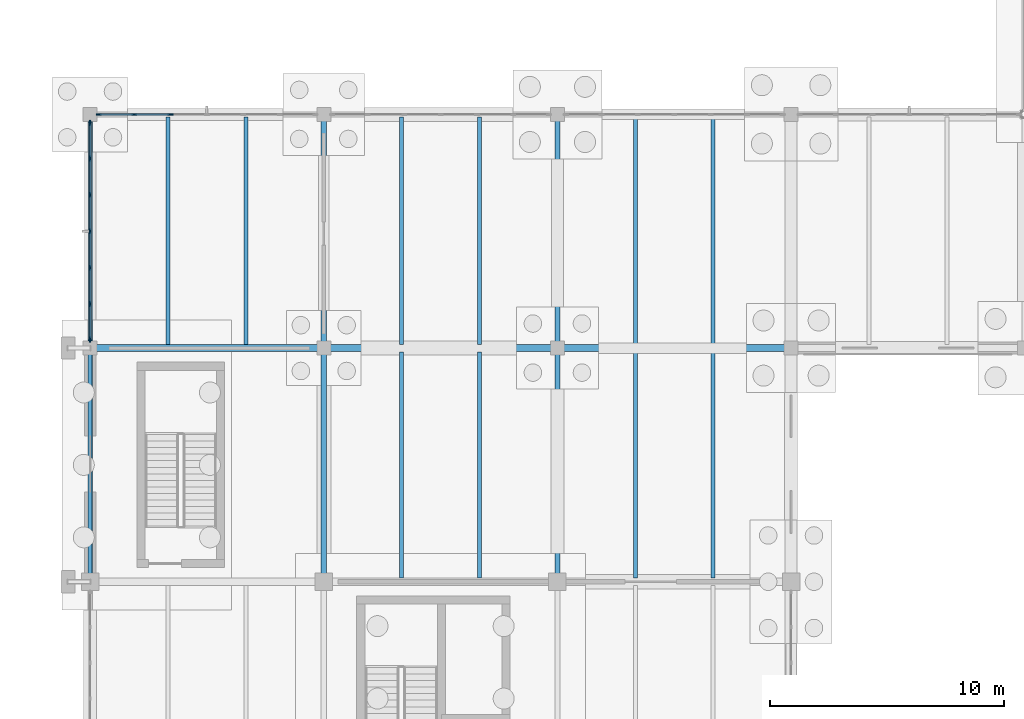
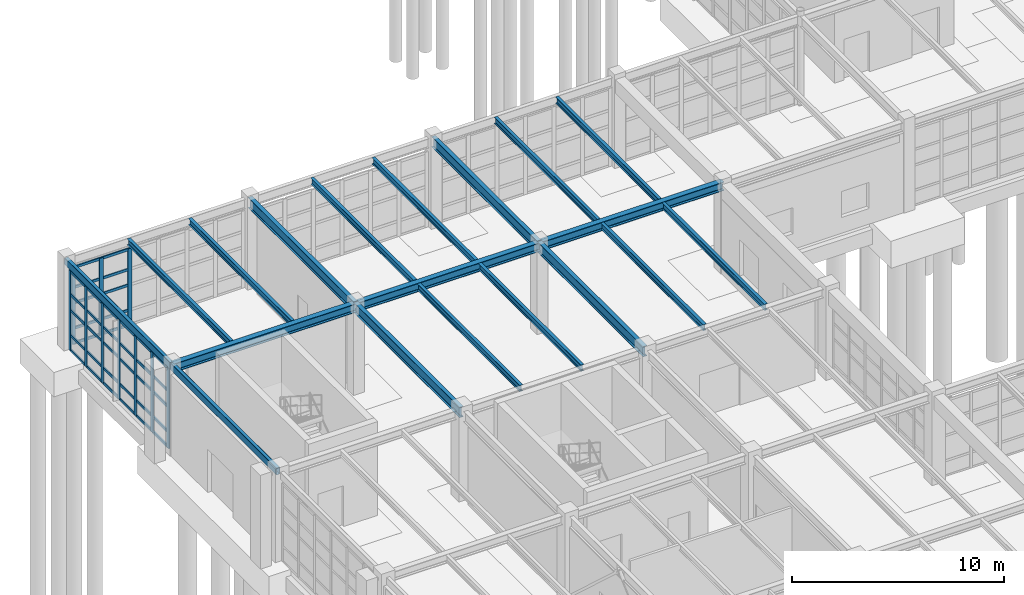
# One storey, part 47 of 145: 50 members, 19 beams, 2 elements without a shape of their own.
"""IFC4 building model written with IfcOpenShell, lengths in metres."""

from ifc_helpers import new_model, si_unit, direction, frame, origin, origin_2d, place, context, subcontext, project, spatial, rectangle, hollow_rectangle, i_section, extrude, material, layer, layer_set, material_profile, profile_set, type_object, element, aggregate, save


model = new_model("IFC4")

# Units and contexts
model_context = context("Model", 3, precision=1e-05, world=origin(), true_north=direction((0.0, 1.0)))
body_context = subcontext(model_context, "Body", "Model", "MODEL_VIEW")
ifc_project = project(units=[si_unit("LENGTHUNIT", "METRE"), si_unit("AREAUNIT", "SQUARE_METRE"), si_unit("VOLUMEUNIT", "CUBIC_METRE"), si_unit("PLANEANGLEUNIT", "RADIAN"), si_unit("MASSUNIT", "GRAM", prefix="KILO"), si_unit("THERMODYNAMICTEMPERATUREUNIT", "KELVIN"), si_unit("POWERUNIT", "WATT")], contexts=[model_context])

# Site, building, storey
site_placement = place(None, origin())
site = spatial("IfcSite", under=ifc_project, at=site_placement, CompositionType="ELEMENT")
building_placement = place(site_placement, origin())
building = spatial("IfcBuilding", under=site, at=building_placement, Name="Korenveer Ferry Terminal", CompositionType="ELEMENT")
storey_placement = place(building_placement, origin())
storey = spatial("IfcBuildingStorey", under=building, at=storey_placement, Name="L00", CompositionType="ELEMENT", Elevation=0.0)

# Curtain wall, members
ifc_material_1 = material(Name="Unitised bronze-and-glass curtain wall", Category="glass")
ifc_layer_1 = layer(ifc_material_1, 0.219970703125)
ifc_layer_set_1 = layer_set([ifc_layer_1], Name="Unitised bronze-and-glass curtain wall")
curtain_wall_type_1 = type_object("IfcCurtainWallType", Name="ENV-CW-08", PredefinedType="USERDEFINED", material=ifc_layer_set_1)
curtain_wall_1_placement = place(storey_placement, frame((0.330078125, 80.0, 0.0)))
curtain_wall_1 = element("IfcCurtainWall", 1, at=curtain_wall_1_placement, inside=storey, type_object=curtain_wall_type_1, Name="Lancet curtain wall CWX-L00-X0-10-Y80-80", ObjectType="UNITISED CURTAIN WALL", PredefinedType="USERDEFINED")
ifc_material_2 = material(Name="Anodised bronze aluminium", Category="aluminium")
ifc_material_profile_1 = material_profile(ifc_material_2, rectangle(XDim=0.074951171875, YDim=0.219970703125, at=origin_2d()), Name="ALU 75x220")
ifc_profile_set_1 = profile_set([ifc_material_profile_1], Name="Anodised bronze aluminium")
member_type_1 = type_object("IfcMemberType", Name="ENV-CWM-75X220", PredefinedType="MULLION", material=ifc_profile_set_1)
member_1_placement = place(storey_placement, frame((0.367431640625, 80.0, 0.0), z_axis=(0.0, 0.0, 1.0), x_axis=(0.0, 1.0, 0.0)))
member_1 = element("IfcMember", 2, at=member_1_placement, type_object=member_type_1, Name="CW-08 mullion 1", PredefinedType="MULLION", context=body_context, shape_type="SweptSolid", body=[
    extrude(rectangle(XDim=0.074951171875, YDim=0.219970703125, at=origin_2d()), origin(), (0.0, 0.0, 1.0), 4.43994140625),
])
member_2_placement = place(storey_placement, frame((1.88671875, 80.0, 0.0), z_axis=(0.0, 0.0, 1.0), x_axis=(0.0, 1.0, 0.0)))
member_2 = element("IfcMember", 3, at=member_2_placement, type_object=member_type_1, Name="CW-08 mullion 2", PredefinedType="MULLION", context=body_context, shape_type="SweptSolid", body=[
    extrude(rectangle(XDim=0.074951171875, YDim=0.219970703125, at=origin_2d()), origin(), (0.0, 0.0, 1.0), 4.43994140625),
])
member_3_placement = place(storey_placement, frame((3.443359375, 80.0, 0.0), z_axis=(0.0, 0.0, 1.0), x_axis=(0.0, 1.0, 0.0)))
member_3 = element("IfcMember", 4, at=member_3_placement, type_object=member_type_1, Name="CW-08 mullion 3", PredefinedType="MULLION", context=body_context, shape_type="SweptSolid", body=[
    extrude(rectangle(XDim=0.074951171875, YDim=0.219970703125, at=origin_2d()), origin(), (0.0, 0.0, 1.0), 4.43994140625),
])

ifc_layer_2 = layer(ifc_material_1, 0.219970703125)
ifc_layer_set_2 = layer_set([ifc_layer_2], Name="Unitised bronze-and-glass curtain wall")
curtain_wall_type_2 = type_object("IfcCurtainWallType", Name="ENV-CW-19", PredefinedType="USERDEFINED", material=ifc_layer_set_2)
curtain_wall_2_placement = place(storey_placement, frame((0.0, 70.330078125, 0.0)))
curtain_wall_2 = element("IfcCurtainWall", 5, at=curtain_wall_2_placement, inside=storey, type_object=curtain_wall_type_2, Name="Lancet curtain wall CWX-L00-X0-0-Y70-80", ObjectType="UNITISED CURTAIN WALL", PredefinedType="USERDEFINED")
member_4_placement = place(storey_placement, frame((0.0, 70.367431640625, 0.0), z_axis=(0.0, 0.0, 1.0), x_axis=(-1.0, 0.0, 0.0)))
member_4 = element("IfcMember", 6, at=member_4_placement, type_object=member_type_1, Name="CW-19 mullion 1", PredefinedType="MULLION", context=body_context, shape_type="SweptSolid", body=[
    extrude(rectangle(XDim=0.074951171875, YDim=0.219970703125, at=origin_2d()), origin(), (0.0, 0.0, 1.0), 4.590087890625),
])
member_5_placement = place(storey_placement, frame((0.0, 71.88671875, 0.0), z_axis=(0.0, 0.0, 1.0), x_axis=(-1.0, 0.0, 0.0)))
member_5 = element("IfcMember", 7, at=member_5_placement, type_object=member_type_1, Name="CW-19 mullion 2", PredefinedType="MULLION", context=body_context, shape_type="SweptSolid", body=[
    extrude(rectangle(XDim=0.074951171875, YDim=0.219970703125, at=origin_2d()), origin(), (0.0, 0.0, 1.0), 4.590087890625),
])
member_6_placement = place(storey_placement, frame((0.0, 73.443359375, 0.0), z_axis=(0.0, 0.0, 1.0), x_axis=(-1.0, 0.0, 0.0)))
member_6 = element("IfcMember", 8, at=member_6_placement, type_object=member_type_1, Name="CW-19 mullion 3", PredefinedType="MULLION", context=body_context, shape_type="SweptSolid", body=[
    extrude(rectangle(XDim=0.074951171875, YDim=0.219970703125, at=origin_2d()), origin(), (0.0, 0.0, 1.0), 4.590087890625),
])
member_7_placement = place(storey_placement, frame((0.0, 75.0, 0.0), z_axis=(0.0, 0.0, 1.0), x_axis=(-1.0, 0.0, 0.0)))
member_7 = element("IfcMember", 9, at=member_7_placement, type_object=member_type_1, Name="CW-19 mullion 4", PredefinedType="MULLION", context=body_context, shape_type="SweptSolid", body=[
    extrude(rectangle(XDim=0.074951171875, YDim=0.219970703125, at=origin_2d()), origin(), (0.0, 0.0, 1.0), 4.590087890625),
])
member_8_placement = place(storey_placement, frame((0.0, 76.556640625, 0.0), z_axis=(0.0, 0.0, 1.0), x_axis=(-1.0, 0.0, 0.0)))
member_8 = element("IfcMember", 10, at=member_8_placement, type_object=member_type_1, Name="CW-19 mullion 5", PredefinedType="MULLION", context=body_context, shape_type="SweptSolid", body=[
    extrude(rectangle(XDim=0.074951171875, YDim=0.219970703125, at=origin_2d()), origin(), (0.0, 0.0, 1.0), 4.590087890625),
])
member_9_placement = place(storey_placement, frame((0.0, 78.11328125, 0.0), z_axis=(0.0, 0.0, 1.0), x_axis=(-1.0, 0.0, 0.0)))
member_9 = element("IfcMember", 11, at=member_9_placement, type_object=member_type_1, Name="CW-19 mullion 6", PredefinedType="MULLION", context=body_context, shape_type="SweptSolid", body=[
    extrude(rectangle(XDim=0.074951171875, YDim=0.219970703125, at=origin_2d()), origin(), (0.0, 0.0, 1.0), 4.590087890625),
])
member_10_placement = place(storey_placement, frame((0.0, 79.632568359375, 0.0), z_axis=(0.0, 0.0, 1.0), x_axis=(-1.0, 0.0, 0.0)))
member_10 = element("IfcMember", 12, at=member_10_placement, type_object=member_type_1, Name="CW-19 mullion 7", PredefinedType="MULLION", context=body_context, shape_type="SweptSolid", body=[
    extrude(rectangle(XDim=0.074951171875, YDim=0.219970703125, at=origin_2d()), origin(), (0.0, 0.0, 1.0), 4.590087890625),
])

# Member
ifc_material_profile_2 = material_profile(ifc_material_2, rectangle(XDim=0.074951171875, YDim=0.14990234375, at=origin_2d()), Name="ALU 75x150")
ifc_profile_set_2 = profile_set([ifc_material_profile_2], Name="Anodised bronze aluminium")
member_type_2 = type_object("IfcMemberType", Name="ENV-CWT-75X150", PredefinedType="USERDEFINED", material=ifc_profile_set_2)
member_11_placement = place(storey_placement, frame((0.405029296875, 80.0, 0.03759765625), z_axis=(1.0, 0.0, 0.0), x_axis=(0.0, 1.0, 0.0)))
member_11 = element("IfcMember", 13, at=member_11_placement, type_object=member_type_2, Name="CW-08 transom 1.1", ObjectType="TRANSOM", PredefinedType="USERDEFINED", context=body_context, shape_type="SweptSolid", body=[
    extrude(rectangle(XDim=0.074951171875, YDim=0.14990234375, at=origin_2d()), origin(), (0.0, 0.0, 1.0), 1.444091796875),
])

member_12_placement = place(storey_placement, frame((0.405029296875, 80.0, 0.89990234375), z_axis=(1.0, 0.0, 0.0), x_axis=(0.0, 1.0, 0.0)))
member_12 = element("IfcMember", 14, at=member_12_placement, type_object=member_type_2, Name="CW-08 transom 1.2", ObjectType="TRANSOM", PredefinedType="USERDEFINED", context=body_context, shape_type="SweptSolid", body=[
    extrude(rectangle(XDim=0.074951171875, YDim=0.14990234375, at=origin_2d()), origin(), (0.0, 0.0, 1.0), 1.444091796875),
])

member_13_placement = place(storey_placement, frame((0.405029296875, 80.0, 2.35009765625), z_axis=(1.0, 0.0, 0.0), x_axis=(0.0, 1.0, 0.0)))
member_13 = element("IfcMember", 15, at=member_13_placement, type_object=member_type_2, Name="CW-08 transom 1.3", ObjectType="TRANSOM", PredefinedType="USERDEFINED", context=body_context, shape_type="SweptSolid", body=[
    extrude(rectangle(XDim=0.074951171875, YDim=0.14990234375, at=origin_2d()), origin(), (0.0, 0.0, 1.0), 1.444091796875),
])

member_14_placement = place(storey_placement, frame((0.405029296875, 80.0, 3.25), z_axis=(1.0, 0.0, 0.0), x_axis=(0.0, 1.0, 0.0)))
member_14 = element("IfcMember", 16, at=member_14_placement, type_object=member_type_2, Name="CW-08 transom 1.4", ObjectType="TRANSOM", PredefinedType="USERDEFINED", context=body_context, shape_type="SweptSolid", body=[
    extrude(rectangle(XDim=0.074951171875, YDim=0.14990234375, at=origin_2d()), origin(), (0.0, 0.0, 1.0), 1.444091796875),
])

member_15_placement = place(storey_placement, frame((0.405029296875, 80.0, 4.402587890625), z_axis=(1.0, 0.0, 0.0), x_axis=(0.0, 1.0, 0.0)))
member_15 = element("IfcMember", 17, at=member_15_placement, type_object=member_type_2, Name="CW-08 transom 1.5", ObjectType="TRANSOM", PredefinedType="USERDEFINED", context=body_context, shape_type="SweptSolid", body=[
    extrude(rectangle(XDim=0.074951171875, YDim=0.14990234375, at=origin_2d()), origin(), (0.0, 0.0, 1.0), 1.444091796875),
])

member_16_placement = place(storey_placement, frame((1.924072265625, 80.0, 0.03759765625), z_axis=(1.0, 0.0, 0.0), x_axis=(0.0, 1.0, 0.0)))
member_16 = element("IfcMember", 18, at=member_16_placement, type_object=member_type_2, Name="CW-08 transom 2.1", ObjectType="TRANSOM", PredefinedType="USERDEFINED", context=body_context, shape_type="SweptSolid", body=[
    extrude(rectangle(XDim=0.074951171875, YDim=0.14990234375, at=origin_2d()), origin(), (0.0, 0.0, 1.0), 1.481689453125),
])

member_17_placement = place(storey_placement, frame((1.924072265625, 80.0, 0.89990234375), z_axis=(1.0, 0.0, 0.0), x_axis=(0.0, 1.0, 0.0)))
member_17 = element("IfcMember", 19, at=member_17_placement, type_object=member_type_2, Name="CW-08 transom 2.2", ObjectType="TRANSOM", PredefinedType="USERDEFINED", context=body_context, shape_type="SweptSolid", body=[
    extrude(rectangle(XDim=0.074951171875, YDim=0.14990234375, at=origin_2d()), origin(), (0.0, 0.0, 1.0), 1.481689453125),
])

member_18_placement = place(storey_placement, frame((1.924072265625, 80.0, 2.35009765625), z_axis=(1.0, 0.0, 0.0), x_axis=(0.0, 1.0, 0.0)))
member_18 = element("IfcMember", 20, at=member_18_placement, type_object=member_type_2, Name="CW-08 transom 2.3", ObjectType="TRANSOM", PredefinedType="USERDEFINED", context=body_context, shape_type="SweptSolid", body=[
    extrude(rectangle(XDim=0.074951171875, YDim=0.14990234375, at=origin_2d()), origin(), (0.0, 0.0, 1.0), 1.481689453125),
])

member_19_placement = place(storey_placement, frame((1.924072265625, 80.0, 3.25), z_axis=(1.0, 0.0, 0.0), x_axis=(0.0, 1.0, 0.0)))
member_19 = element("IfcMember", 21, at=member_19_placement, type_object=member_type_2, Name="CW-08 transom 2.4", ObjectType="TRANSOM", PredefinedType="USERDEFINED", context=body_context, shape_type="SweptSolid", body=[
    extrude(rectangle(XDim=0.074951171875, YDim=0.14990234375, at=origin_2d()), origin(), (0.0, 0.0, 1.0), 1.481689453125),
])

member_20_placement = place(storey_placement, frame((1.924072265625, 80.0, 4.402587890625), z_axis=(1.0, 0.0, 0.0), x_axis=(0.0, 1.0, 0.0)))
member_20 = element("IfcMember", 22, at=member_20_placement, type_object=member_type_2, Name="CW-08 transom 2.5", ObjectType="TRANSOM", PredefinedType="USERDEFINED", context=body_context, shape_type="SweptSolid", body=[
    extrude(rectangle(XDim=0.074951171875, YDim=0.14990234375, at=origin_2d()), origin(), (0.0, 0.0, 1.0), 1.481689453125),
])

aggregate(curtain_wall_1, [member_1, member_2, member_3, member_11, member_12, member_13, member_14, member_15, member_16, member_17, member_18, member_19, member_20])

member_21_placement = place(storey_placement, frame((0.0, 70.405029296875, 0.03759765625), z_axis=(0.0, 1.0, 0.0), x_axis=(-1.0, 0.0, 0.0)))
member_21 = element("IfcMember", 23, at=member_21_placement, type_object=member_type_2, Name="CW-19 transom 1.1", ObjectType="TRANSOM", PredefinedType="USERDEFINED", context=body_context, shape_type="SweptSolid", body=[
    extrude(rectangle(XDim=0.074951171875, YDim=0.14990234375, at=origin_2d()), origin(), (0.0, 0.0, 1.0), 1.444091796875),
])

member_22_placement = place(storey_placement, frame((0.0, 70.405029296875, 0.89990234375), z_axis=(0.0, 1.0, 0.0), x_axis=(-1.0, 0.0, 0.0)))
member_22 = element("IfcMember", 24, at=member_22_placement, type_object=member_type_2, Name="CW-19 transom 1.2", ObjectType="TRANSOM", PredefinedType="USERDEFINED", context=body_context, shape_type="SweptSolid", body=[
    extrude(rectangle(XDim=0.074951171875, YDim=0.14990234375, at=origin_2d()), origin(), (0.0, 0.0, 1.0), 1.444091796875),
])

member_23_placement = place(storey_placement, frame((0.0, 70.405029296875, 2.35009765625), z_axis=(0.0, 1.0, 0.0), x_axis=(-1.0, 0.0, 0.0)))
member_23 = element("IfcMember", 25, at=member_23_placement, type_object=member_type_2, Name="CW-19 transom 1.3", ObjectType="TRANSOM", PredefinedType="USERDEFINED", context=body_context, shape_type="SweptSolid", body=[
    extrude(rectangle(XDim=0.074951171875, YDim=0.14990234375, at=origin_2d()), origin(), (0.0, 0.0, 1.0), 1.444091796875),
])

member_24_placement = place(storey_placement, frame((0.0, 70.405029296875, 3.25), z_axis=(0.0, 1.0, 0.0), x_axis=(-1.0, 0.0, 0.0)))
member_24 = element("IfcMember", 26, at=member_24_placement, type_object=member_type_2, Name="CW-19 transom 1.4", ObjectType="TRANSOM", PredefinedType="USERDEFINED", context=body_context, shape_type="SweptSolid", body=[
    extrude(rectangle(XDim=0.074951171875, YDim=0.14990234375, at=origin_2d()), origin(), (0.0, 0.0, 1.0), 1.444091796875),
])

member_25_placement = place(storey_placement, frame((0.0, 70.405029296875, 4.552490234375), z_axis=(0.0, 1.0, 0.0), x_axis=(-1.0, 0.0, 0.0)))
member_25 = element("IfcMember", 27, at=member_25_placement, type_object=member_type_2, Name="CW-19 transom 1.5", ObjectType="TRANSOM", PredefinedType="USERDEFINED", context=body_context, shape_type="SweptSolid", body=[
    extrude(rectangle(XDim=0.074951171875, YDim=0.14990234375, at=origin_2d()), origin(), (0.0, 0.0, 1.0), 1.444091796875),
])

member_26_placement = place(storey_placement, frame((0.0, 71.924072265625, 0.03759765625), z_axis=(0.0, 1.0, 0.0), x_axis=(-1.0, 0.0, 0.0)))
member_26 = element("IfcMember", 28, at=member_26_placement, type_object=member_type_2, Name="CW-19 transom 2.1", ObjectType="TRANSOM", PredefinedType="USERDEFINED", context=body_context, shape_type="SweptSolid", body=[
    extrude(rectangle(XDim=0.074951171875, YDim=0.14990234375, at=origin_2d()), origin(), (0.0, 0.0, 1.0), 1.481689453125),
])

member_27_placement = place(storey_placement, frame((0.0, 71.924072265625, 0.89990234375), z_axis=(0.0, 1.0, 0.0), x_axis=(-1.0, 0.0, 0.0)))
member_27 = element("IfcMember", 29, at=member_27_placement, type_object=member_type_2, Name="CW-19 transom 2.2", ObjectType="TRANSOM", PredefinedType="USERDEFINED", context=body_context, shape_type="SweptSolid", body=[
    extrude(rectangle(XDim=0.074951171875, YDim=0.14990234375, at=origin_2d()), origin(), (0.0, 0.0, 1.0), 1.481689453125),
])

member_28_placement = place(storey_placement, frame((0.0, 71.924072265625, 2.35009765625), z_axis=(0.0, 1.0, 0.0), x_axis=(-1.0, 0.0, 0.0)))
member_28 = element("IfcMember", 30, at=member_28_placement, type_object=member_type_2, Name="CW-19 transom 2.3", ObjectType="TRANSOM", PredefinedType="USERDEFINED", context=body_context, shape_type="SweptSolid", body=[
    extrude(rectangle(XDim=0.074951171875, YDim=0.14990234375, at=origin_2d()), origin(), (0.0, 0.0, 1.0), 1.481689453125),
])

member_29_placement = place(storey_placement, frame((0.0, 71.924072265625, 3.25), z_axis=(0.0, 1.0, 0.0), x_axis=(-1.0, 0.0, 0.0)))
member_29 = element("IfcMember", 31, at=member_29_placement, type_object=member_type_2, Name="CW-19 transom 2.4", ObjectType="TRANSOM", PredefinedType="USERDEFINED", context=body_context, shape_type="SweptSolid", body=[
    extrude(rectangle(XDim=0.074951171875, YDim=0.14990234375, at=origin_2d()), origin(), (0.0, 0.0, 1.0), 1.481689453125),
])

member_30_placement = place(storey_placement, frame((0.0, 71.924072265625, 4.552490234375), z_axis=(0.0, 1.0, 0.0), x_axis=(-1.0, 0.0, 0.0)))
member_30 = element("IfcMember", 32, at=member_30_placement, type_object=member_type_2, Name="CW-19 transom 2.5", ObjectType="TRANSOM", PredefinedType="USERDEFINED", context=body_context, shape_type="SweptSolid", body=[
    extrude(rectangle(XDim=0.074951171875, YDim=0.14990234375, at=origin_2d()), origin(), (0.0, 0.0, 1.0), 1.481689453125),
])

member_31_placement = place(storey_placement, frame((0.0, 73.480712890625, 0.03759765625), z_axis=(0.0, 1.0, 0.0), x_axis=(-1.0, 0.0, 0.0)))
member_31 = element("IfcMember", 33, at=member_31_placement, type_object=member_type_2, Name="CW-19 transom 3.1", ObjectType="TRANSOM", PredefinedType="USERDEFINED", context=body_context, shape_type="SweptSolid", body=[
    extrude(rectangle(XDim=0.074951171875, YDim=0.14990234375, at=origin_2d()), origin(), (0.0, 0.0, 1.0), 1.481689453125),
])

member_32_placement = place(storey_placement, frame((0.0, 73.480712890625, 0.89990234375), z_axis=(0.0, 1.0, 0.0), x_axis=(-1.0, 0.0, 0.0)))
member_32 = element("IfcMember", 34, at=member_32_placement, type_object=member_type_2, Name="CW-19 transom 3.2", ObjectType="TRANSOM", PredefinedType="USERDEFINED", context=body_context, shape_type="SweptSolid", body=[
    extrude(rectangle(XDim=0.074951171875, YDim=0.14990234375, at=origin_2d()), origin(), (0.0, 0.0, 1.0), 1.481689453125),
])

member_33_placement = place(storey_placement, frame((0.0, 73.480712890625, 2.35009765625), z_axis=(0.0, 1.0, 0.0), x_axis=(-1.0, 0.0, 0.0)))
member_33 = element("IfcMember", 35, at=member_33_placement, type_object=member_type_2, Name="CW-19 transom 3.3", ObjectType="TRANSOM", PredefinedType="USERDEFINED", context=body_context, shape_type="SweptSolid", body=[
    extrude(rectangle(XDim=0.074951171875, YDim=0.14990234375, at=origin_2d()), origin(), (0.0, 0.0, 1.0), 1.481689453125),
])

member_34_placement = place(storey_placement, frame((0.0, 73.480712890625, 3.25), z_axis=(0.0, 1.0, 0.0), x_axis=(-1.0, 0.0, 0.0)))
member_34 = element("IfcMember", 36, at=member_34_placement, type_object=member_type_2, Name="CW-19 transom 3.4", ObjectType="TRANSOM", PredefinedType="USERDEFINED", context=body_context, shape_type="SweptSolid", body=[
    extrude(rectangle(XDim=0.074951171875, YDim=0.14990234375, at=origin_2d()), origin(), (0.0, 0.0, 1.0), 1.481689453125),
])

member_35_placement = place(storey_placement, frame((0.0, 73.480712890625, 4.552490234375), z_axis=(0.0, 1.0, 0.0), x_axis=(-1.0, 0.0, 0.0)))
member_35 = element("IfcMember", 37, at=member_35_placement, type_object=member_type_2, Name="CW-19 transom 3.5", ObjectType="TRANSOM", PredefinedType="USERDEFINED", context=body_context, shape_type="SweptSolid", body=[
    extrude(rectangle(XDim=0.074951171875, YDim=0.14990234375, at=origin_2d()), origin(), (0.0, 0.0, 1.0), 1.481689453125),
])

member_36_placement = place(storey_placement, frame((0.0, 75.03759765625, 0.03759765625), z_axis=(0.0, 1.0, 0.0), x_axis=(-1.0, 0.0, 0.0)))
member_36 = element("IfcMember", 38, at=member_36_placement, type_object=member_type_2, Name="CW-19 transom 4.1", ObjectType="TRANSOM", PredefinedType="USERDEFINED", context=body_context, shape_type="SweptSolid", body=[
    extrude(rectangle(XDim=0.074951171875, YDim=0.14990234375, at=origin_2d()), origin(), (0.0, 0.0, 1.0), 1.481689453125),
])

member_37_placement = place(storey_placement, frame((0.0, 75.03759765625, 0.89990234375), z_axis=(0.0, 1.0, 0.0), x_axis=(-1.0, 0.0, 0.0)))
member_37 = element("IfcMember", 39, at=member_37_placement, type_object=member_type_2, Name="CW-19 transom 4.2", ObjectType="TRANSOM", PredefinedType="USERDEFINED", context=body_context, shape_type="SweptSolid", body=[
    extrude(rectangle(XDim=0.074951171875, YDim=0.14990234375, at=origin_2d()), origin(), (0.0, 0.0, 1.0), 1.481689453125),
])

member_38_placement = place(storey_placement, frame((0.0, 75.03759765625, 2.35009765625), z_axis=(0.0, 1.0, 0.0), x_axis=(-1.0, 0.0, 0.0)))
member_38 = element("IfcMember", 40, at=member_38_placement, type_object=member_type_2, Name="CW-19 transom 4.3", ObjectType="TRANSOM", PredefinedType="USERDEFINED", context=body_context, shape_type="SweptSolid", body=[
    extrude(rectangle(XDim=0.074951171875, YDim=0.14990234375, at=origin_2d()), origin(), (0.0, 0.0, 1.0), 1.481689453125),
])

member_39_placement = place(storey_placement, frame((0.0, 75.03759765625, 3.25), z_axis=(0.0, 1.0, 0.0), x_axis=(-1.0, 0.0, 0.0)))
member_39 = element("IfcMember", 41, at=member_39_placement, type_object=member_type_2, Name="CW-19 transom 4.4", ObjectType="TRANSOM", PredefinedType="USERDEFINED", context=body_context, shape_type="SweptSolid", body=[
    extrude(rectangle(XDim=0.074951171875, YDim=0.14990234375, at=origin_2d()), origin(), (0.0, 0.0, 1.0), 1.481689453125),
])

member_40_placement = place(storey_placement, frame((0.0, 75.03759765625, 4.552490234375), z_axis=(0.0, 1.0, 0.0), x_axis=(-1.0, 0.0, 0.0)))
member_40 = element("IfcMember", 42, at=member_40_placement, type_object=member_type_2, Name="CW-19 transom 4.5", ObjectType="TRANSOM", PredefinedType="USERDEFINED", context=body_context, shape_type="SweptSolid", body=[
    extrude(rectangle(XDim=0.074951171875, YDim=0.14990234375, at=origin_2d()), origin(), (0.0, 0.0, 1.0), 1.481689453125),
])

member_41_placement = place(storey_placement, frame((0.0, 76.59423828125, 0.03759765625), z_axis=(0.0, 1.0, 0.0), x_axis=(-1.0, 0.0, 0.0)))
member_41 = element("IfcMember", 43, at=member_41_placement, type_object=member_type_2, Name="CW-19 transom 5.1", ObjectType="TRANSOM", PredefinedType="USERDEFINED", context=body_context, shape_type="SweptSolid", body=[
    extrude(rectangle(XDim=0.074951171875, YDim=0.14990234375, at=origin_2d()), origin(), (0.0, 0.0, 1.0), 1.481689453125),
])

member_42_placement = place(storey_placement, frame((0.0, 76.59423828125, 0.89990234375), z_axis=(0.0, 1.0, 0.0), x_axis=(-1.0, 0.0, 0.0)))
member_42 = element("IfcMember", 44, at=member_42_placement, type_object=member_type_2, Name="CW-19 transom 5.2", ObjectType="TRANSOM", PredefinedType="USERDEFINED", context=body_context, shape_type="SweptSolid", body=[
    extrude(rectangle(XDim=0.074951171875, YDim=0.14990234375, at=origin_2d()), origin(), (0.0, 0.0, 1.0), 1.481689453125),
])

member_43_placement = place(storey_placement, frame((0.0, 76.59423828125, 2.35009765625), z_axis=(0.0, 1.0, 0.0), x_axis=(-1.0, 0.0, 0.0)))
member_43 = element("IfcMember", 45, at=member_43_placement, type_object=member_type_2, Name="CW-19 transom 5.3", ObjectType="TRANSOM", PredefinedType="USERDEFINED", context=body_context, shape_type="SweptSolid", body=[
    extrude(rectangle(XDim=0.074951171875, YDim=0.14990234375, at=origin_2d()), origin(), (0.0, 0.0, 1.0), 1.481689453125),
])

member_44_placement = place(storey_placement, frame((0.0, 76.59423828125, 3.25), z_axis=(0.0, 1.0, 0.0), x_axis=(-1.0, 0.0, 0.0)))
member_44 = element("IfcMember", 46, at=member_44_placement, type_object=member_type_2, Name="CW-19 transom 5.4", ObjectType="TRANSOM", PredefinedType="USERDEFINED", context=body_context, shape_type="SweptSolid", body=[
    extrude(rectangle(XDim=0.074951171875, YDim=0.14990234375, at=origin_2d()), origin(), (0.0, 0.0, 1.0), 1.481689453125),
])

member_45_placement = place(storey_placement, frame((0.0, 76.59423828125, 4.552490234375), z_axis=(0.0, 1.0, 0.0), x_axis=(-1.0, 0.0, 0.0)))
member_45 = element("IfcMember", 47, at=member_45_placement, type_object=member_type_2, Name="CW-19 transom 5.5", ObjectType="TRANSOM", PredefinedType="USERDEFINED", context=body_context, shape_type="SweptSolid", body=[
    extrude(rectangle(XDim=0.074951171875, YDim=0.14990234375, at=origin_2d()), origin(), (0.0, 0.0, 1.0), 1.481689453125),
])

member_46_placement = place(storey_placement, frame((0.0, 78.15087890625, 0.03759765625), z_axis=(0.0, 1.0, 0.0), x_axis=(-1.0, 0.0, 0.0)))
member_46 = element("IfcMember", 48, at=member_46_placement, type_object=member_type_2, Name="CW-19 transom 6.1", ObjectType="TRANSOM", PredefinedType="USERDEFINED", context=body_context, shape_type="SweptSolid", body=[
    extrude(rectangle(XDim=0.074951171875, YDim=0.14990234375, at=origin_2d()), origin(), (0.0, 0.0, 1.0), 1.444091796875),
])

member_47_placement = place(storey_placement, frame((0.0, 78.15087890625, 0.89990234375), z_axis=(0.0, 1.0, 0.0), x_axis=(-1.0, 0.0, 0.0)))
member_47 = element("IfcMember", 49, at=member_47_placement, type_object=member_type_2, Name="CW-19 transom 6.2", ObjectType="TRANSOM", PredefinedType="USERDEFINED", context=body_context, shape_type="SweptSolid", body=[
    extrude(rectangle(XDim=0.074951171875, YDim=0.14990234375, at=origin_2d()), origin(), (0.0, 0.0, 1.0), 1.444091796875),
])

member_48_placement = place(storey_placement, frame((0.0, 78.15087890625, 2.35009765625), z_axis=(0.0, 1.0, 0.0), x_axis=(-1.0, 0.0, 0.0)))
member_48 = element("IfcMember", 50, at=member_48_placement, type_object=member_type_2, Name="CW-19 transom 6.3", ObjectType="TRANSOM", PredefinedType="USERDEFINED", context=body_context, shape_type="SweptSolid", body=[
    extrude(rectangle(XDim=0.074951171875, YDim=0.14990234375, at=origin_2d()), origin(), (0.0, 0.0, 1.0), 1.444091796875),
])

member_49_placement = place(storey_placement, frame((0.0, 78.15087890625, 3.25), z_axis=(0.0, 1.0, 0.0), x_axis=(-1.0, 0.0, 0.0)))
member_49 = element("IfcMember", 51, at=member_49_placement, type_object=member_type_2, Name="CW-19 transom 6.4", ObjectType="TRANSOM", PredefinedType="USERDEFINED", context=body_context, shape_type="SweptSolid", body=[
    extrude(rectangle(XDim=0.074951171875, YDim=0.14990234375, at=origin_2d()), origin(), (0.0, 0.0, 1.0), 1.444091796875),
])

member_50_placement = place(storey_placement, frame((0.0, 78.15087890625, 4.552490234375), z_axis=(0.0, 1.0, 0.0), x_axis=(-1.0, 0.0, 0.0)))
member_50 = element("IfcMember", 52, at=member_50_placement, type_object=member_type_2, Name="CW-19 transom 6.5", ObjectType="TRANSOM", PredefinedType="USERDEFINED", context=body_context, shape_type="SweptSolid", body=[
    extrude(rectangle(XDim=0.074951171875, YDim=0.14990234375, at=origin_2d()), origin(), (0.0, 0.0, 1.0), 1.444091796875),
])

aggregate(curtain_wall_2, [member_4, member_5, member_6, member_7, member_8, member_9, member_10, member_21, member_22, member_23, member_24, member_25, member_26, member_27, member_28, member_29, member_30, member_31, member_32, member_33, member_34, member_35, member_36, member_37, member_38, member_39, member_40, member_41, member_42, member_43, member_44, member_45, member_46, member_47, member_48, member_49, member_50])

# Beams
ifc_material_3 = material(Name="Steel S355", Category="steel")
ifc_material_profile_3 = material_profile(ifc_material_3, i_section(OverallWidth=0.300048828125, OverallDepth=0.5, WebThickness=0.014404296875, FlangeThickness=0.028076171875, FilletRadius=0.027099609375, at=origin_2d()), Name="HEB 500")
ifc_profile_set_3 = profile_set([ifc_material_profile_3], Name="Steel S355")
beam_type_1 = type_object("IfcBeamType", Name="STR-BM-HEB500", PredefinedType="BEAM", material=ifc_profile_set_3)
for number, where, z_axis, x_axis, name in (
    (53, (0.02001953125, 70.0, 4.8701171875), (1.0, 0.0, 0.0), (0.0, 1.0, 0.0), "Primary X girder BMX-L01-X0-10-Y70"),
    (54, (10.02001953125, 70.0, 4.8701171875), (1.0, 0.0, 0.0), (0.0, 1.0, 0.0), "Primary X girder BMX-L01-X10-20-Y70"),
    (55, (20.02001953125, 70.0, 4.8701171875), (1.0, 0.0, 0.0), (0.0, 1.0, 0.0), "Primary X girder BMX-L01-X20-30-Y70"),
):
    element("IfcBeam", number, at=place(storey_placement, frame(where, z_axis=z_axis, x_axis=x_axis)), inside=storey, type_object=beam_type_1, Name=name, PredefinedType="BEAM", context=body_context, shape_type="SweptSolid", body=[
        extrude(i_section(OverallWidth=0.300048828125, OverallDepth=0.5, WebThickness=0.014404296875, FlangeThickness=0.028076171875, FilletRadius=0.027099609375, at=origin_2d()), origin(), (0.0, 0.0, 1.0), 9.9599609375),
    ])
ifc_material_profile_4 = material_profile(ifc_material_3, i_section(OverallWidth=0.219970703125, OverallDepth=0.60009765625, WebThickness=0.011962890625, FlangeThickness=0.01904296875, FilletRadius=0.02392578125, at=origin_2d()), Name="IPE 600")
ifc_profile_set_4 = profile_set([ifc_material_profile_4], Name="Steel S355")
beam_type_2 = type_object("IfcBeamType", Name="STR-BM-IPE600", PredefinedType="BEAM", material=ifc_profile_set_4)
for number, where, z_axis, x_axis, name in (
    (56, (10.0, 60.02001953125, 4.820068359375), (0.0, 1.0, 0.0), (-1.0, 0.0, 0.0), "Primary Y girder BMY-L01-X10-Y60-70"),
    (57, (10.0, 70.02001953125, 4.820068359375), (0.0, 1.0, 0.0), (-1.0, 0.0, 0.0), "Primary Y girder BMY-L01-X10-Y70-80"),
    (58, (20.0, 60.02001953125, 4.820068359375), (0.0, 1.0, 0.0), (-1.0, 0.0, 0.0), "Primary Y girder BMY-L01-X20-Y60-70"),
    (59, (20.0, 70.02001953125, 4.820068359375), (0.0, 1.0, 0.0), (-1.0, 0.0, 0.0), "Primary Y girder BMY-L01-X20-Y70-80"),
):
    element("IfcBeam", number, at=place(storey_placement, frame(where, z_axis=z_axis, x_axis=x_axis)), inside=storey, type_object=beam_type_2, Name=name, PredefinedType="BEAM", context=body_context, shape_type="SweptSolid", body=[
        extrude(i_section(OverallWidth=0.219970703125, OverallDepth=0.60009765625, WebThickness=0.011962890625, FlangeThickness=0.01904296875, FilletRadius=0.02392578125, at=origin_2d()), origin(), (0.0, 0.0, 1.0), 9.9599609375),
    ])
ifc_material_profile_5 = material_profile(ifc_material_3, i_section(OverallWidth=0.169921875, OverallDepth=0.360107421875, WebThickness=0.008056640625, FlangeThickness=0.0126953125, FilletRadius=0.01806640625, at=origin_2d()), Name="IPE 360")
ifc_profile_set_5 = profile_set([ifc_material_profile_5], Name="Steel S355")
beam_type_3 = type_object("IfcBeamType", Name="STR-JST-IPE360", PredefinedType="JOIST", material=ifc_profile_set_5)
for number, where, z_axis, x_axis, name in (
    (60, (3.333251953125, 70.159912109375, 4.93994140625), (0.0, 1.0, 0.0), (-1.0, 0.0, 0.0), "Secondary composite joist JST-L01-X33-Y70-80"),
    (61, (6.666748046875, 70.159912109375, 4.93994140625), (0.0, 1.0, 0.0), (-1.0, 0.0, 0.0), "Secondary composite joist JST-L01-X67-Y70-80"),
):
    element("IfcBeam", number, at=place(storey_placement, frame(where, z_axis=z_axis, x_axis=x_axis)), inside=storey, type_object=beam_type_3, Name=name, PredefinedType="JOIST", context=body_context, shape_type="SweptSolid", body=[
        extrude(i_section(OverallWidth=0.169921875, OverallDepth=0.360107421875, WebThickness=0.008056640625, FlangeThickness=0.0126953125, FilletRadius=0.01806640625, at=origin_2d()), origin(), (0.0, 0.0, 1.0), 9.72509765625),
    ])
for number, where, z_axis, x_axis, name in (
    (62, (13.333251953125, 60.159912109375, 4.93994140625), (0.0, 1.0, 0.0), (-1.0, 0.0, 0.0), "Secondary composite joist JST-L01-X133-Y60-70"),
    (63, (16.666748046875, 60.159912109375, 4.93994140625), (0.0, 1.0, 0.0), (-1.0, 0.0, 0.0), "Secondary composite joist JST-L01-X167-Y60-70"),
):
    element("IfcBeam", number, at=place(storey_placement, frame(where, z_axis=z_axis, x_axis=x_axis)), inside=storey, type_object=beam_type_3, Name=name, PredefinedType="JOIST", context=body_context, shape_type="SweptSolid", body=[
        extrude(i_section(OverallWidth=0.169921875, OverallDepth=0.360107421875, WebThickness=0.008056640625, FlangeThickness=0.0126953125, FilletRadius=0.01806640625, at=origin_2d()), origin(), (0.0, 0.0, 1.0), 9.68017578125),
    ])
for number, where, z_axis, x_axis, name in (
    (64, (13.333251953125, 70.159912109375, 4.93994140625), (0.0, 1.0, 0.0), (-1.0, 0.0, 0.0), "Secondary composite joist JST-L01-X133-Y70-80"),
    (65, (16.666748046875, 70.159912109375, 4.93994140625), (0.0, 1.0, 0.0), (-1.0, 0.0, 0.0), "Secondary composite joist JST-L01-X167-Y70-80"),
):
    element("IfcBeam", number, at=place(storey_placement, frame(where, z_axis=z_axis, x_axis=x_axis)), inside=storey, type_object=beam_type_3, Name=name, PredefinedType="JOIST", context=body_context, shape_type="SweptSolid", body=[
        extrude(i_section(OverallWidth=0.169921875, OverallDepth=0.360107421875, WebThickness=0.008056640625, FlangeThickness=0.0126953125, FilletRadius=0.01806640625, at=origin_2d()), origin(), (0.0, 0.0, 1.0), 9.72509765625),
    ])
for number, where, z_axis, x_axis, name in (
    (66, (23.333251953125, 60.159912109375, 4.93994140625), (0.0, 1.0, 0.0), (-1.0, 0.0, 0.0), "Secondary composite joist JST-L01-X233-Y60-70"),
    (67, (26.666748046875, 60.159912109375, 4.93994140625), (0.0, 1.0, 0.0), (-1.0, 0.0, 0.0), "Secondary composite joist JST-L01-X267-Y60-70"),
):
    element("IfcBeam", number, at=place(storey_placement, frame(where, z_axis=z_axis, x_axis=x_axis)), inside=storey, type_object=beam_type_3, Name=name, PredefinedType="JOIST", context=body_context, shape_type="SweptSolid", body=[
        extrude(i_section(OverallWidth=0.169921875, OverallDepth=0.360107421875, WebThickness=0.008056640625, FlangeThickness=0.0126953125, FilletRadius=0.01806640625, at=origin_2d()), origin(), (0.0, 0.0, 1.0), 9.68017578125),
    ])
for number, where, z_axis, x_axis, name in (
    (68, (23.333251953125, 70.159912109375, 4.93994140625), (0.0, 1.0, 0.0), (-1.0, 0.0, 0.0), "Secondary composite joist JST-L01-X233-Y70-80"),
    (69, (26.666748046875, 70.159912109375, 4.93994140625), (0.0, 1.0, 0.0), (-1.0, 0.0, 0.0), "Secondary composite joist JST-L01-X267-Y70-80"),
):
    element("IfcBeam", number, at=place(storey_placement, frame(where, z_axis=z_axis, x_axis=x_axis)), inside=storey, type_object=beam_type_3, Name=name, PredefinedType="JOIST", context=body_context, shape_type="SweptSolid", body=[
        extrude(i_section(OverallWidth=0.169921875, OverallDepth=0.360107421875, WebThickness=0.008056640625, FlangeThickness=0.0126953125, FilletRadius=0.01806640625, at=origin_2d()), origin(), (0.0, 0.0, 1.0), 9.72509765625),
    ])
ifc_material_profile_6 = material_profile(ifc_material_3, hollow_rectangle(XDim=0.199951171875, YDim=0.39990234375, WallThickness=0.01611328125, InnerFilletRadius=0.01611328125, OuterFilletRadius=0.02392578125, at=origin_2d()), Name="RHS 400x200x16")
ifc_profile_set_6 = profile_set([ifc_material_profile_6], Name="Steel S355")
beam_type_4 = type_object("IfcBeamType", Name="STR-SPD-RHS400", PredefinedType="SPANDREL", material=ifc_profile_set_6)
for number, where, z_axis, x_axis, name in (
    (70, (0.0, 60.02001953125, 4.919921875), (0.0, 1.0, 0.0), (-1.0, 0.0, 0.0), "Primary Y girder BMY-L01-X0-Y60-70"),
    (71, (0.0, 70.02001953125, 4.919921875), (0.0, 1.0, 0.0), (-1.0, 0.0, 0.0), "Primary Y girder BMY-L01-X0-Y70-80"),
):
    element("IfcBeam", number, at=place(storey_placement, frame(where, z_axis=z_axis, x_axis=x_axis)), inside=storey, type_object=beam_type_4, Name=name, PredefinedType="SPANDREL", context=body_context, shape_type="SweptSolid", body=[
        extrude(hollow_rectangle(XDim=0.199951171875, YDim=0.39990234375, WallThickness=0.01611328125, InnerFilletRadius=0.01611328125, OuterFilletRadius=0.02392578125, at=origin_2d()), origin(), (0.0, 0.0, 1.0), 9.9599609375),
    ])

save(model, "model.ifc")
